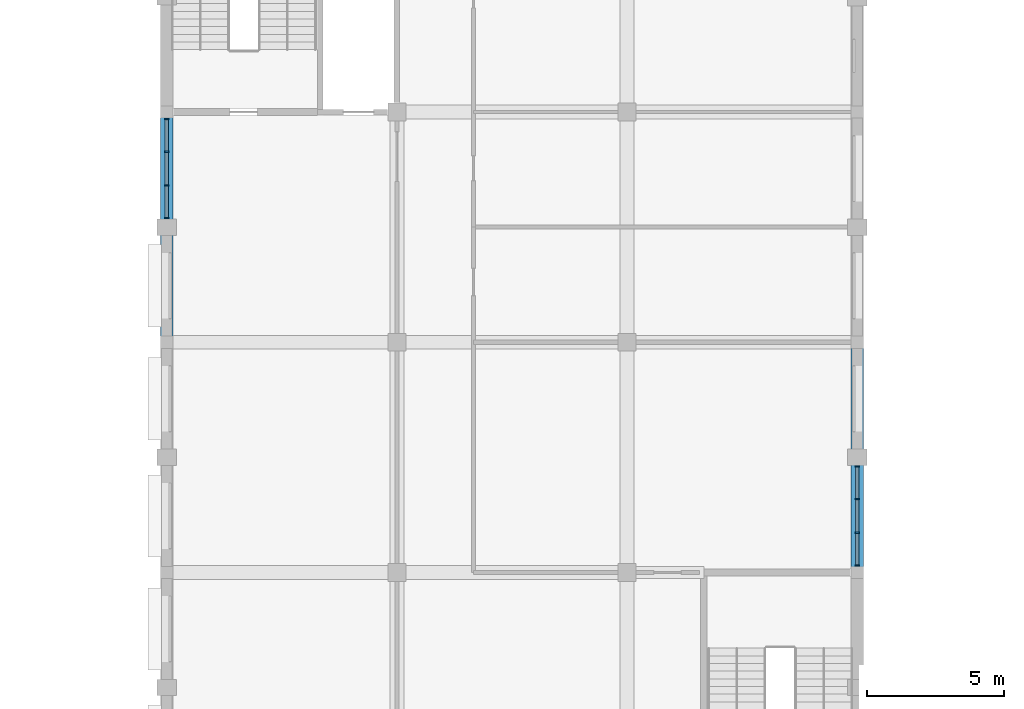
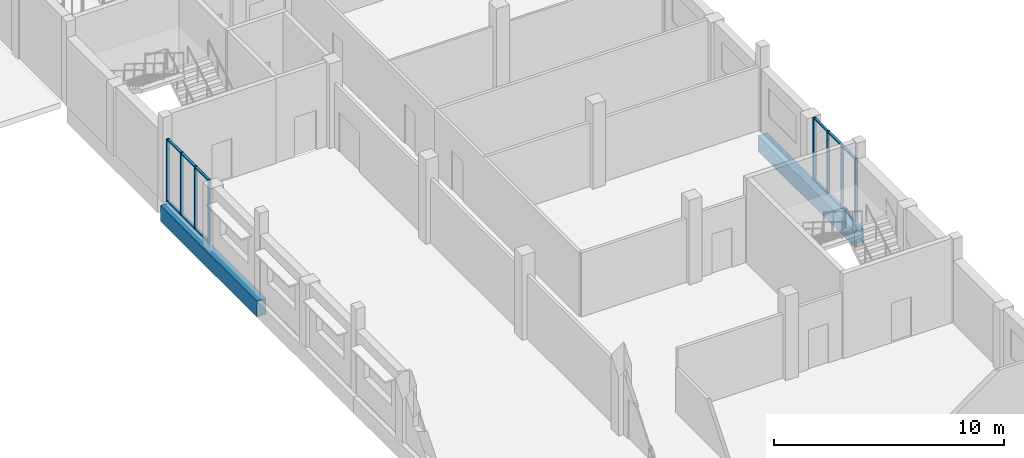
# One storey, part 39 of 101: 20 members, 2 beams, 2 elements without a shape of their own.
"""IFC4 building model written with IfcOpenShell, lengths in metres."""

from ifc_helpers import new_model, si_unit, direction, frame, origin, origin_2d, place, context, subcontext, project, spatial, rectangle, extrude, material, material_profile, profile_set, type_object, element, aggregate, save


model = new_model("IFC4")

# Units and contexts
model_context = context("Model", 3, precision=1e-05, world=origin(), true_north=direction((0.0, 1.0)))
body_context = subcontext(model_context, "Body", "Model", "MODEL_VIEW")
ifc_project = project(units=[si_unit("LENGTHUNIT", "METRE"), si_unit("AREAUNIT", "SQUARE_METRE"), si_unit("VOLUMEUNIT", "CUBIC_METRE"), si_unit("PLANEANGLEUNIT", "RADIAN"), si_unit("MASSUNIT", "GRAM", prefix="KILO")], contexts=[model_context])

# Site, building, storey
site_placement = place(None, origin())
site = spatial("IfcSite", under=ifc_project, at=site_placement, CompositionType="ELEMENT")
building_placement = place(site_placement, origin())
building = spatial("IfcBuilding", under=site, at=building_placement, Name="Fescue Hill Polytechnic", CompositionType="ELEMENT")
storey_placement = place(building_placement, frame((0.0, 0.0, 9.0)))
storey = spatial("IfcBuildingStorey", under=building, at=storey_placement, Name="L02", CompositionType="ELEMENT", Elevation=9.0)

# Beams
ifc_material_1 = material(Name="Concrete 35 MPa", Category="concrete")
ifc_material_profile_1 = material_profile(ifc_material_1, rectangle(XDim=0.449951171875, YDim=0.85009765625, at=origin_2d()), Name="RC 450x850")
ifc_profile_set_1 = profile_set([ifc_material_profile_1], Name="Concrete 35 MPa")
beam_type = type_object("IfcBeamType", Name="Beam RC 450x850", PredefinedType="BEAM", material=ifc_profile_set_1)
beam_1_placement = place(storey_placement, frame((0.0, 92.39990234375, -0.72509765625), z_axis=(0.0, 1.0, 0.0), x_axis=(-1.0, 0.0, 0.0)))
element("IfcBeam", 1, at=beam_1_placement, inside=storey, type_object=beam_type, Name="BM-L02-0006", PredefinedType="BEAM", context=body_context, shape_type="SweptSolid", body=[
    extrude(rectangle(XDim=0.449951171875, YDim=0.85009765625, at=origin_2d()), origin(), (0.0, 0.0, 1.0), 8.400146484375),
])
beam_2_placement = place(storey_placement, frame((25.199951171875, 84.0, -0.72509765625), z_axis=(0.0, 1.0, 0.0), x_axis=(-1.0, 0.0, 0.0)))
element("IfcBeam", 2, at=beam_2_placement, inside=storey, type_object=beam_type, Name="BM-L02-0055", PredefinedType="BEAM", context=body_context, shape_type="SweptSolid", body=[
    extrude(rectangle(XDim=0.449951171875, YDim=0.85009765625, at=origin_2d()), origin(), (0.0, 0.0, 1.0), 8.39990234375),
])

# Curtain wall, members
ifc_material_2 = material(Name="Glass", Category="glass")
curtain_wall_type = type_object("IfcCurtainWallType", Name="Curtain wall structural glazing", PredefinedType="NOTDEFINED", material=ifc_material_2)
curtain_wall_1_placement = place(storey_placement, origin())
curtain_wall_1 = element("IfcCurtainWall", 3, at=curtain_wall_1_placement, inside=storey, type_object=curtain_wall_type, Name="CW-L02-V4-X2", PredefinedType="NOTDEFINED")
ifc_material_3 = material(Name="Powder-coated aluminium", Category="aluminium")
ifc_material_profile_2 = material_profile(ifc_material_3, rectangle(XDim=0.159912109375, YDim=0.06005859375, at=origin_2d()), Name="Mullion aluminium 60x160")
ifc_profile_set_2 = profile_set([ifc_material_profile_2], Name="Powder-coated aluminium")
member_type_1 = type_object("IfcMemberType", Name="Mullion aluminium 60x160", PredefinedType="MULLION", material=ifc_profile_set_2)
member_1_placement = place(storey_placement, frame((0.0, 100.544921875, 0.0), z_axis=(0.0, 0.0, 1.0), x_axis=(1.0, 0.0, 0.0)))
member_1 = element("IfcMember", 4, at=member_1_placement, type_object=member_type_1, Name="CW128 mullion 1", PredefinedType="MULLION", context=body_context, shape_type="SweptSolid", body=[
    extrude(rectangle(XDim=0.159912109375, YDim=0.06005859375, at=origin_2d()), origin(), (0.0, 0.0, 1.0), 3.330078125),
])
member_2_placement = place(storey_placement, frame((0.0, 99.35009765625, 0.0), z_axis=(0.0, 0.0, 1.0), x_axis=(1.0, 0.0, 0.0)))
member_2 = element("IfcMember", 5, at=member_2_placement, type_object=member_type_1, Name="CW128 mullion 2", PredefinedType="MULLION", context=body_context, shape_type="SweptSolid", body=[
    extrude(rectangle(XDim=0.159912109375, YDim=0.06005859375, at=origin_2d()), origin(), (0.0, 0.0, 1.0), 3.330078125),
])
member_3_placement = place(storey_placement, frame((0.0, 98.125, 0.0), z_axis=(0.0, 0.0, 1.0), x_axis=(1.0, 0.0, 0.0)))
member_3 = element("IfcMember", 6, at=member_3_placement, type_object=member_type_1, Name="CW128 mullion 3", PredefinedType="MULLION", context=body_context, shape_type="SweptSolid", body=[
    extrude(rectangle(XDim=0.159912109375, YDim=0.06005859375, at=origin_2d()), origin(), (0.0, 0.0, 1.0), 3.330078125),
])
member_4_placement = place(storey_placement, frame((0.0, 96.929931640625, 0.0), z_axis=(0.0, 0.0, 1.0), x_axis=(1.0, 0.0, 0.0)))
member_4 = element("IfcMember", 7, at=member_4_placement, type_object=member_type_1, Name="CW128 mullion 4", PredefinedType="MULLION", context=body_context, shape_type="SweptSolid", body=[
    extrude(rectangle(XDim=0.159912109375, YDim=0.06005859375, at=origin_2d()), origin(), (0.0, 0.0, 1.0), 3.330078125),
])

curtain_wall_2_placement = place(storey_placement, origin())
curtain_wall_2 = element("IfcCurtainWall", 8, at=curtain_wall_2_placement, inside=storey, type_object=curtain_wall_type, Name="CW-L02-V4-X3", PredefinedType="NOTDEFINED")
member_5_placement = place(storey_placement, frame((25.199951171875, 84.2548828125, 0.0), z_axis=(0.0, 0.0, 1.0), x_axis=(-1.0, 0.0, 0.0)))
member_5 = element("IfcMember", 9, at=member_5_placement, type_object=member_type_1, Name="CW135 mullion 1", PredefinedType="MULLION", context=body_context, shape_type="SweptSolid", body=[
    extrude(rectangle(XDim=0.159912109375, YDim=0.06005859375, at=origin_2d()), origin(), (0.0, 0.0, 1.0), 3.330078125),
])
member_6_placement = place(storey_placement, frame((25.199951171875, 85.449951171875, 0.0), z_axis=(0.0, 0.0, 1.0), x_axis=(-1.0, 0.0, 0.0)))
member_6 = element("IfcMember", 10, at=member_6_placement, type_object=member_type_1, Name="CW135 mullion 2", PredefinedType="MULLION", context=body_context, shape_type="SweptSolid", body=[
    extrude(rectangle(XDim=0.159912109375, YDim=0.06005859375, at=origin_2d()), origin(), (0.0, 0.0, 1.0), 3.330078125),
])
member_7_placement = place(storey_placement, frame((25.199951171875, 86.675048828125, 0.0), z_axis=(0.0, 0.0, 1.0), x_axis=(-1.0, 0.0, 0.0)))
member_7 = element("IfcMember", 11, at=member_7_placement, type_object=member_type_1, Name="CW135 mullion 3", PredefinedType="MULLION", context=body_context, shape_type="SweptSolid", body=[
    extrude(rectangle(XDim=0.159912109375, YDim=0.06005859375, at=origin_2d()), origin(), (0.0, 0.0, 1.0), 3.330078125),
])
member_8_placement = place(storey_placement, frame((25.199951171875, 87.8701171875, 0.0), z_axis=(0.0, 0.0, 1.0), x_axis=(-1.0, 0.0, 0.0)))
member_8 = element("IfcMember", 12, at=member_8_placement, type_object=member_type_1, Name="CW135 mullion 4", PredefinedType="MULLION", context=body_context, shape_type="SweptSolid", body=[
    extrude(rectangle(XDim=0.159912109375, YDim=0.06005859375, at=origin_2d()), origin(), (0.0, 0.0, 1.0), 3.330078125),
])

# Member
ifc_material_profile_3 = material_profile(ifc_material_3, rectangle(XDim=0.1201171875, YDim=0.06005859375, at=origin_2d()), Name="Transom aluminium 60x120")
ifc_profile_set_3 = profile_set([ifc_material_profile_3], Name="Powder-coated aluminium")
member_type_2 = type_object("IfcMemberType", Name="Transom aluminium 60x120", PredefinedType="USERDEFINED", material=ifc_profile_set_3)
member_9_placement = place(storey_placement, frame((0.0, 100.514892578125, 0.030029296875), z_axis=(0.0, -1.0, 0.0), x_axis=(1.0, 0.0, 0.0)))
member_9 = element("IfcMember", 13, at=member_9_placement, type_object=member_type_2, Name="CW128 transom 1.1", ObjectType="TRANSOM", PredefinedType="USERDEFINED", context=body_context, shape_type="SweptSolid", body=[
    extrude(rectangle(XDim=0.1201171875, YDim=0.06005859375, at=origin_2d()), origin(), (0.0, 0.0, 1.0), 1.135009765625),
])

member_10_placement = place(storey_placement, frame((0.0, 100.514892578125, 3.300048828125), z_axis=(0.0, -1.0, 0.0), x_axis=(1.0, 0.0, 0.0)))
member_10 = element("IfcMember", 14, at=member_10_placement, type_object=member_type_2, Name="CW128 transom 1.2", ObjectType="TRANSOM", PredefinedType="USERDEFINED", context=body_context, shape_type="SweptSolid", body=[
    extrude(rectangle(XDim=0.1201171875, YDim=0.06005859375, at=origin_2d()), origin(), (0.0, 0.0, 1.0), 1.135009765625),
])

member_11_placement = place(storey_placement, frame((0.0, 99.320068359375, 0.030029296875), z_axis=(0.0, -1.0, 0.0), x_axis=(1.0, 0.0, 0.0)))
member_11 = element("IfcMember", 15, at=member_11_placement, type_object=member_type_2, Name="CW128 transom 2.1", ObjectType="TRANSOM", PredefinedType="USERDEFINED", context=body_context, shape_type="SweptSolid", body=[
    extrude(rectangle(XDim=0.1201171875, YDim=0.06005859375, at=origin_2d()), origin(), (0.0, 0.0, 1.0), 1.1650390625),
])

member_12_placement = place(storey_placement, frame((0.0, 99.320068359375, 3.300048828125), z_axis=(0.0, -1.0, 0.0), x_axis=(1.0, 0.0, 0.0)))
member_12 = element("IfcMember", 16, at=member_12_placement, type_object=member_type_2, Name="CW128 transom 2.2", ObjectType="TRANSOM", PredefinedType="USERDEFINED", context=body_context, shape_type="SweptSolid", body=[
    extrude(rectangle(XDim=0.1201171875, YDim=0.06005859375, at=origin_2d()), origin(), (0.0, 0.0, 1.0), 1.1650390625),
])

member_13_placement = place(storey_placement, frame((0.0, 98.094970703125, 0.030029296875), z_axis=(0.0, -1.0, 0.0), x_axis=(1.0, 0.0, 0.0)))
member_13 = element("IfcMember", 17, at=member_13_placement, type_object=member_type_2, Name="CW128 transom 3.1", ObjectType="TRANSOM", PredefinedType="USERDEFINED", context=body_context, shape_type="SweptSolid", body=[
    extrude(rectangle(XDim=0.1201171875, YDim=0.06005859375, at=origin_2d()), origin(), (0.0, 0.0, 1.0), 1.135009765625),
])

member_14_placement = place(storey_placement, frame((0.0, 98.094970703125, 3.300048828125), z_axis=(0.0, -1.0, 0.0), x_axis=(1.0, 0.0, 0.0)))
member_14 = element("IfcMember", 18, at=member_14_placement, type_object=member_type_2, Name="CW128 transom 3.2", ObjectType="TRANSOM", PredefinedType="USERDEFINED", context=body_context, shape_type="SweptSolid", body=[
    extrude(rectangle(XDim=0.1201171875, YDim=0.06005859375, at=origin_2d()), origin(), (0.0, 0.0, 1.0), 1.135009765625),
])

aggregate(curtain_wall_1, [member_1, member_2, member_3, member_4, member_9, member_10, member_11, member_12, member_13, member_14])

member_15_placement = place(storey_placement, frame((25.199951171875, 84.284912109375, 0.030029296875), z_axis=(0.0, 1.0, 0.0), x_axis=(-1.0, 0.0, 0.0)))
member_15 = element("IfcMember", 19, at=member_15_placement, type_object=member_type_2, Name="CW135 transom 1.1", ObjectType="TRANSOM", PredefinedType="USERDEFINED", context=body_context, shape_type="SweptSolid", body=[
    extrude(rectangle(XDim=0.1201171875, YDim=0.06005859375, at=origin_2d()), origin(), (0.0, 0.0, 1.0), 1.135009765625),
])

member_16_placement = place(storey_placement, frame((25.199951171875, 84.284912109375, 3.300048828125), z_axis=(0.0, 1.0, 0.0), x_axis=(-1.0, 0.0, 0.0)))
member_16 = element("IfcMember", 20, at=member_16_placement, type_object=member_type_2, Name="CW135 transom 1.2", ObjectType="TRANSOM", PredefinedType="USERDEFINED", context=body_context, shape_type="SweptSolid", body=[
    extrude(rectangle(XDim=0.1201171875, YDim=0.06005859375, at=origin_2d()), origin(), (0.0, 0.0, 1.0), 1.135009765625),
])

member_17_placement = place(storey_placement, frame((25.199951171875, 85.47998046875, 0.030029296875), z_axis=(0.0, 1.0, 0.0), x_axis=(-1.0, 0.0, 0.0)))
member_17 = element("IfcMember", 21, at=member_17_placement, type_object=member_type_2, Name="CW135 transom 2.1", ObjectType="TRANSOM", PredefinedType="USERDEFINED", context=body_context, shape_type="SweptSolid", body=[
    extrude(rectangle(XDim=0.1201171875, YDim=0.06005859375, at=origin_2d()), origin(), (0.0, 0.0, 1.0), 1.1650390625),
])

member_18_placement = place(storey_placement, frame((25.199951171875, 85.47998046875, 3.300048828125), z_axis=(0.0, 1.0, 0.0), x_axis=(-1.0, 0.0, 0.0)))
member_18 = element("IfcMember", 22, at=member_18_placement, type_object=member_type_2, Name="CW135 transom 2.2", ObjectType="TRANSOM", PredefinedType="USERDEFINED", context=body_context, shape_type="SweptSolid", body=[
    extrude(rectangle(XDim=0.1201171875, YDim=0.06005859375, at=origin_2d()), origin(), (0.0, 0.0, 1.0), 1.1650390625),
])

member_19_placement = place(storey_placement, frame((25.199951171875, 86.705078125, 0.030029296875), z_axis=(0.0, 1.0, 0.0), x_axis=(-1.0, 0.0, 0.0)))
member_19 = element("IfcMember", 23, at=member_19_placement, type_object=member_type_2, Name="CW135 transom 3.1", ObjectType="TRANSOM", PredefinedType="USERDEFINED", context=body_context, shape_type="SweptSolid", body=[
    extrude(rectangle(XDim=0.1201171875, YDim=0.06005859375, at=origin_2d()), origin(), (0.0, 0.0, 1.0), 1.135009765625),
])

member_20_placement = place(storey_placement, frame((25.199951171875, 86.705078125, 3.300048828125), z_axis=(0.0, 1.0, 0.0), x_axis=(-1.0, 0.0, 0.0)))
member_20 = element("IfcMember", 24, at=member_20_placement, type_object=member_type_2, Name="CW135 transom 3.2", ObjectType="TRANSOM", PredefinedType="USERDEFINED", context=body_context, shape_type="SweptSolid", body=[
    extrude(rectangle(XDim=0.1201171875, YDim=0.06005859375, at=origin_2d()), origin(), (0.0, 0.0, 1.0), 1.135009765625),
])

aggregate(curtain_wall_2, [member_5, member_6, member_7, member_8, member_15, member_16, member_17, member_18, member_19, member_20])

save(model, "model.ifc")
